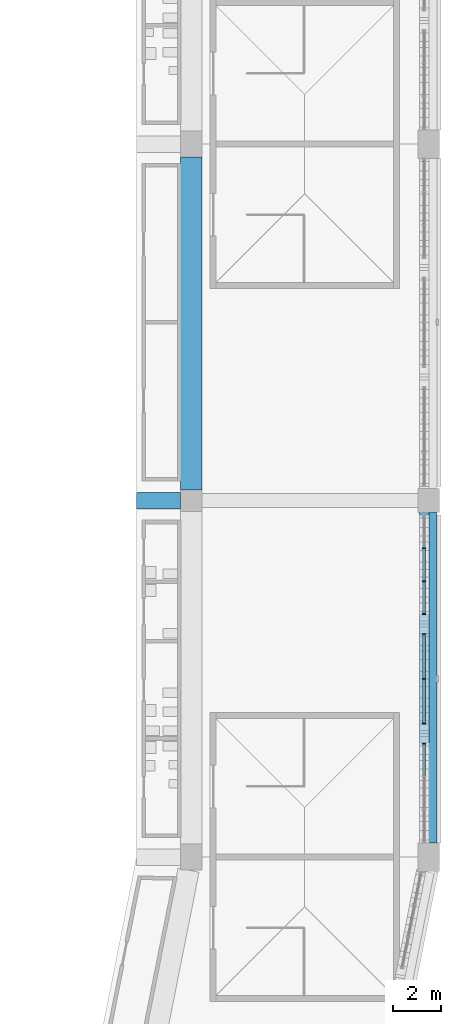
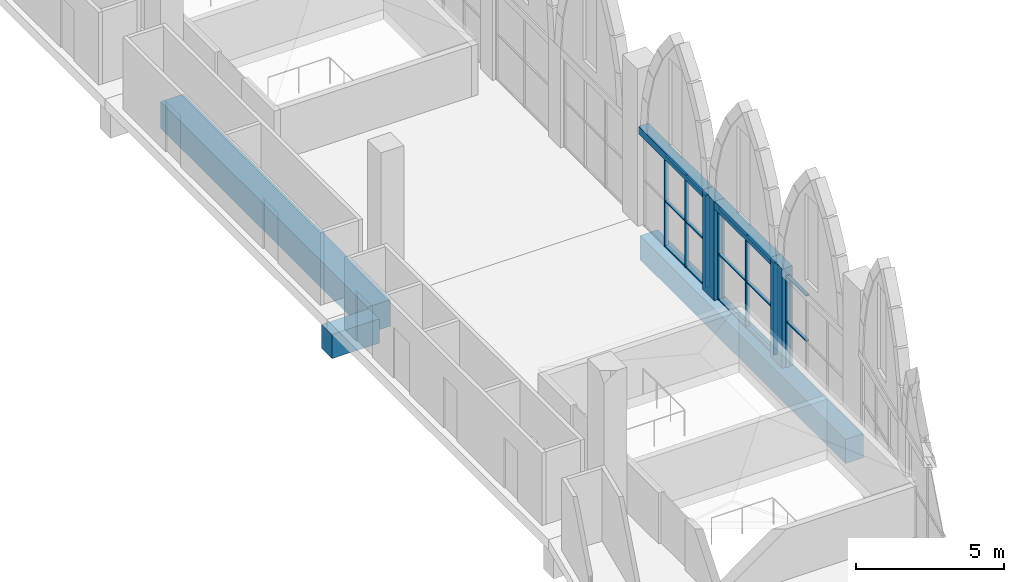
# One storey, part 22 of 130: 23 members, 5 beams, 3 elements without a shape of their own.
"""IFC4 building model written with IfcOpenShell, lengths in metres."""

from ifc_helpers import new_model, si_unit, direction, frame, origin, origin_2d, place, context, subcontext, project, spatial, rectangle, extrude, material, material_profile, profile_set, type_object, element, aggregate, save


model = new_model("IFC4")

# Units and contexts
model_context = context("Model", 3, precision=1e-05, world=origin(), true_north=direction((0.0, 1.0)))
body_context = subcontext(model_context, "Body", "Model", "MODEL_VIEW")
ifc_project = project(units=[si_unit("LENGTHUNIT", "METRE"), si_unit("AREAUNIT", "SQUARE_METRE"), si_unit("VOLUMEUNIT", "CUBIC_METRE"), si_unit("PLANEANGLEUNIT", "RADIAN"), si_unit("MASSUNIT", "GRAM", prefix="KILO")], contexts=[model_context])

# Site, building, storey
site_placement = place(None, origin())
site = spatial("IfcSite", under=ifc_project, at=site_placement, CompositionType="ELEMENT")
building_placement = place(site_placement, origin())
building = spatial("IfcBuilding", under=site, at=building_placement, Name="Ogive Plaza Stadium", CompositionType="ELEMENT")
storey_placement = place(building_placement, frame((0.0, 0.0, 22.5)))
storey = spatial("IfcBuildingStorey", under=building, at=storey_placement, Name="L05", CompositionType="ELEMENT", Elevation=22.5)

# Curtain wall, members
ifc_material_1 = material(Name="Bronze-anodised aluminium with laminated glass", Category="aluminium")
curtain_wall_type = type_object("IfcCurtainWallType", Name="Lancet curtain wall", PredefinedType="NOTDEFINED", material=ifc_material_1)
curtain_wall_1_placement = place(storey_placement, origin())
curtain_wall_1 = element("IfcCurtainWall", 1, at=curtain_wall_1_placement, inside=storey, type_object=curtain_wall_type, Name="CURTAIN WALL B07 L05", PredefinedType="NOTDEFINED")
ifc_material_2 = material(Name="Bronze-anodised aluminium", Category="aluminium")
ifc_material_profile_1 = material_profile(ifc_material_2, rectangle(XDim=0.14990234375, YDim=0.050048828125, at=origin_2d()), Name="AL 150x50")
ifc_profile_set_1 = profile_set([ifc_material_profile_1], Name="Bronze-anodised aluminium")
member_type_1 = type_object("IfcMemberType", Name="Curtain wall mullion 50x150", PredefinedType="MULLION", material=ifc_profile_set_1)
member_1_placement = place(storey_placement, frame((83.800048828125, -39.5, 0.0), z_axis=(0.0, 0.0, 1.0), x_axis=(1.0, 0.0, 0.0)))
member_1 = element("IfcMember", 2, at=member_1_placement, type_object=member_type_1, Name="CW-B07-L05.1 mullion 2", PredefinedType="MULLION", context=body_context, shape_type="SweptSolid", body=[
    extrude(rectangle(XDim=0.14990234375, YDim=0.050048828125, at=origin_2d()), origin(), (0.0, 0.0, 1.0), 3.800048828125),
])
member_2_placement = place(storey_placement, frame((83.800048828125, -40.89990234375, 0.0), z_axis=(0.0, 0.0, 1.0), x_axis=(1.0, 0.0, 0.0)))
member_2 = element("IfcMember", 3, at=member_2_placement, type_object=member_type_1, Name="CW-B07-L05.1 mullion 3", PredefinedType="MULLION", context=body_context, shape_type="SweptSolid", body=[
    extrude(rectangle(XDim=0.14990234375, YDim=0.050048828125, at=origin_2d()), origin(), (0.0, 0.0, 1.0), 3.800048828125),
])
member_3_placement = place(storey_placement, frame((83.800048828125, -42.27490234375, 0.0), z_axis=(0.0, 0.0, 1.0), x_axis=(1.0, 0.0, 0.0)))
member_3 = element("IfcMember", 4, at=member_3_placement, type_object=member_type_1, Name="CW-B07-L05.1 mullion 4", PredefinedType="MULLION", context=body_context, shape_type="SweptSolid", body=[
    extrude(rectangle(XDim=0.14990234375, YDim=0.050048828125, at=origin_2d()), origin(), (0.0, 0.0, 1.0), 3.800048828125),
])

curtain_wall_2_placement = place(storey_placement, origin())
curtain_wall_2 = element("IfcCurtainWall", 5, at=curtain_wall_2_placement, inside=storey, type_object=curtain_wall_type, Name="CURTAIN WALL B07 L05", PredefinedType="NOTDEFINED")
member_4_placement = place(storey_placement, frame((83.800048828125, -43.125, 0.0), z_axis=(0.0, 0.0, 1.0), x_axis=(1.0, 0.0, 0.0)))
member_4 = element("IfcMember", 6, at=member_4_placement, type_object=member_type_1, Name="CW-B07-L05.2 mullion 1", PredefinedType="MULLION", context=body_context, shape_type="SweptSolid", body=[
    extrude(rectangle(XDim=0.14990234375, YDim=0.050048828125, at=origin_2d()), origin(), (0.0, 0.0, 1.0), 3.800048828125),
])
member_5_placement = place(storey_placement, frame((83.800048828125, -45.0, 0.0), z_axis=(0.0, 0.0, 1.0), x_axis=(1.0, 0.0, 0.0)))
member_5 = element("IfcMember", 7, at=member_5_placement, type_object=member_type_1, Name="CW-B07-L05.2 mullion 2", PredefinedType="MULLION", context=body_context, shape_type="SweptSolid", body=[
    extrude(rectangle(XDim=0.14990234375, YDim=0.050048828125, at=origin_2d()), origin(), (0.0, 0.0, 1.0), 3.800048828125),
])
member_6_placement = place(storey_placement, frame((83.800048828125, -46.875, 0.0), z_axis=(0.0, 0.0, 1.0), x_axis=(1.0, 0.0, 0.0)))
member_6 = element("IfcMember", 8, at=member_6_placement, type_object=member_type_1, Name="CW-B07-L05.2 mullion 3", PredefinedType="MULLION", context=body_context, shape_type="SweptSolid", body=[
    extrude(rectangle(XDim=0.14990234375, YDim=0.050048828125, at=origin_2d()), origin(), (0.0, 0.0, 1.0), 3.800048828125),
])

# Curtain wall, member
curtain_wall_3_placement = place(storey_placement, origin())
curtain_wall_3 = element("IfcCurtainWall", 9, at=curtain_wall_3_placement, inside=storey, type_object=curtain_wall_type, Name="CURTAIN WALL B07 L05", PredefinedType="NOTDEFINED")
member_7_placement = place(storey_placement, frame((83.800048828125, -47.72509765625, 0.0), z_axis=(0.0, 0.0, 1.0), x_axis=(1.0, 0.0, 0.0)))
member_7 = element("IfcMember", 10, at=member_7_placement, type_object=member_type_1, Name="CW-B07-L05.3 mullion 1", PredefinedType="MULLION", context=body_context, shape_type="SweptSolid", body=[
    extrude(rectangle(XDim=0.14990234375, YDim=0.050048828125, at=origin_2d()), origin(), (0.0, 0.0, 1.0), 3.800048828125),
])

# Member
ifc_material_3 = material(Name="Bronze-anodised aluminium", Category="aluminium")
ifc_material_profile_2 = material_profile(ifc_material_3, rectangle(XDim=0.1201171875, YDim=0.050048828125, at=origin_2d()), Name="AL 120x50")
ifc_profile_set_2 = profile_set([ifc_material_profile_2], Name="Bronze-anodised aluminium")
member_type_2 = type_object("IfcMemberType", Name="Curtain wall transom 50x120", PredefinedType="USERDEFINED", material=ifc_profile_set_2)
member_8_placement = place(storey_placement, frame((83.800048828125, -39.52490234375, 0.02490234375), z_axis=(0.0, -1.0, 0.0), x_axis=(1.0, 0.0, 0.0)))
member_8 = element("IfcMember", 11, at=member_8_placement, type_object=member_type_2, Name="CW-B07-L05.1 transom 2.1", ObjectType="TRANSOM", PredefinedType="USERDEFINED", context=body_context, shape_type="SweptSolid", body=[
    extrude(rectangle(XDim=0.1201171875, YDim=0.050048828125, at=origin_2d()), origin(), (0.0, 0.0, 1.0), 1.35009765625),
])

member_9_placement = place(storey_placement, frame((83.800048828125, -39.52490234375, 1.89990234375), z_axis=(0.0, -1.0, 0.0), x_axis=(1.0, 0.0, 0.0)))
member_9 = element("IfcMember", 12, at=member_9_placement, type_object=member_type_2, Name="CW-B07-L05.1 transom 2.2", ObjectType="TRANSOM", PredefinedType="USERDEFINED", context=body_context, shape_type="SweptSolid", body=[
    extrude(rectangle(XDim=0.1201171875, YDim=0.050048828125, at=origin_2d()), origin(), (0.0, 0.0, 1.0), 1.35009765625),
])

member_10_placement = place(storey_placement, frame((83.800048828125, -39.52490234375, 3.77490234375), z_axis=(0.0, -1.0, 0.0), x_axis=(1.0, 0.0, 0.0)))
member_10 = element("IfcMember", 13, at=member_10_placement, type_object=member_type_2, Name="CW-B07-L05.1 transom 2.3", ObjectType="TRANSOM", PredefinedType="USERDEFINED", context=body_context, shape_type="SweptSolid", body=[
    extrude(rectangle(XDim=0.1201171875, YDim=0.050048828125, at=origin_2d()), origin(), (0.0, 0.0, 1.0), 1.35009765625),
])

member_11_placement = place(storey_placement, frame((83.800048828125, -40.925048828125, 0.02490234375), z_axis=(0.0, -1.0, 0.0), x_axis=(1.0, 0.0, 0.0)))
member_11 = element("IfcMember", 14, at=member_11_placement, type_object=member_type_2, Name="CW-B07-L05.1 transom 3.1", ObjectType="TRANSOM", PredefinedType="USERDEFINED", context=body_context, shape_type="SweptSolid", body=[
    extrude(rectangle(XDim=0.1201171875, YDim=0.050048828125, at=origin_2d()), origin(), (0.0, 0.0, 1.0), 1.324951171875),
])

member_12_placement = place(storey_placement, frame((83.800048828125, -40.925048828125, 1.89990234375), z_axis=(0.0, -1.0, 0.0), x_axis=(1.0, 0.0, 0.0)))
member_12 = element("IfcMember", 15, at=member_12_placement, type_object=member_type_2, Name="CW-B07-L05.1 transom 3.2", ObjectType="TRANSOM", PredefinedType="USERDEFINED", context=body_context, shape_type="SweptSolid", body=[
    extrude(rectangle(XDim=0.1201171875, YDim=0.050048828125, at=origin_2d()), origin(), (0.0, 0.0, 1.0), 1.324951171875),
])

member_13_placement = place(storey_placement, frame((83.800048828125, -40.925048828125, 3.77490234375), z_axis=(0.0, -1.0, 0.0), x_axis=(1.0, 0.0, 0.0)))
member_13 = element("IfcMember", 16, at=member_13_placement, type_object=member_type_2, Name="CW-B07-L05.1 transom 3.3", ObjectType="TRANSOM", PredefinedType="USERDEFINED", context=body_context, shape_type="SweptSolid", body=[
    extrude(rectangle(XDim=0.1201171875, YDim=0.050048828125, at=origin_2d()), origin(), (0.0, 0.0, 1.0), 1.324951171875),
])

aggregate(curtain_wall_1, [member_1, member_2, member_3, member_8, member_9, member_10, member_11, member_12, member_13])

member_14_placement = place(storey_placement, frame((83.800048828125, -43.14990234375, 0.02490234375), z_axis=(0.0, -1.0, 0.0), x_axis=(1.0, 0.0, 0.0)))
member_14 = element("IfcMember", 17, at=member_14_placement, type_object=member_type_2, Name="CW-B07-L05.2 transom 1.1", ObjectType="TRANSOM", PredefinedType="USERDEFINED", context=body_context, shape_type="SweptSolid", body=[
    extrude(rectangle(XDim=0.1201171875, YDim=0.050048828125, at=origin_2d()), origin(), (0.0, 0.0, 1.0), 1.8251953125),
])

member_15_placement = place(storey_placement, frame((83.800048828125, -43.14990234375, 1.89990234375), z_axis=(0.0, -1.0, 0.0), x_axis=(1.0, 0.0, 0.0)))
member_15 = element("IfcMember", 18, at=member_15_placement, type_object=member_type_2, Name="CW-B07-L05.2 transom 1.2", ObjectType="TRANSOM", PredefinedType="USERDEFINED", context=body_context, shape_type="SweptSolid", body=[
    extrude(rectangle(XDim=0.1201171875, YDim=0.050048828125, at=origin_2d()), origin(), (0.0, 0.0, 1.0), 1.8251953125),
])

member_16_placement = place(storey_placement, frame((83.800048828125, -43.14990234375, 3.77490234375), z_axis=(0.0, -1.0, 0.0), x_axis=(1.0, 0.0, 0.0)))
member_16 = element("IfcMember", 19, at=member_16_placement, type_object=member_type_2, Name="CW-B07-L05.2 transom 1.3", ObjectType="TRANSOM", PredefinedType="USERDEFINED", context=body_context, shape_type="SweptSolid", body=[
    extrude(rectangle(XDim=0.1201171875, YDim=0.050048828125, at=origin_2d()), origin(), (0.0, 0.0, 1.0), 1.8251953125),
])

member_17_placement = place(storey_placement, frame((83.800048828125, -45.02490234375, 0.02490234375), z_axis=(0.0, -1.0, 0.0), x_axis=(1.0, 0.0, 0.0)))
member_17 = element("IfcMember", 20, at=member_17_placement, type_object=member_type_2, Name="CW-B07-L05.2 transom 2.1", ObjectType="TRANSOM", PredefinedType="USERDEFINED", context=body_context, shape_type="SweptSolid", body=[
    extrude(rectangle(XDim=0.1201171875, YDim=0.050048828125, at=origin_2d()), origin(), (0.0, 0.0, 1.0), 1.8251953125),
])

member_18_placement = place(storey_placement, frame((83.800048828125, -45.02490234375, 1.89990234375), z_axis=(0.0, -1.0, 0.0), x_axis=(1.0, 0.0, 0.0)))
member_18 = element("IfcMember", 21, at=member_18_placement, type_object=member_type_2, Name="CW-B07-L05.2 transom 2.2", ObjectType="TRANSOM", PredefinedType="USERDEFINED", context=body_context, shape_type="SweptSolid", body=[
    extrude(rectangle(XDim=0.1201171875, YDim=0.050048828125, at=origin_2d()), origin(), (0.0, 0.0, 1.0), 1.8251953125),
])

member_19_placement = place(storey_placement, frame((83.800048828125, -45.02490234375, 3.77490234375), z_axis=(0.0, -1.0, 0.0), x_axis=(1.0, 0.0, 0.0)))
member_19 = element("IfcMember", 22, at=member_19_placement, type_object=member_type_2, Name="CW-B07-L05.2 transom 2.3", ObjectType="TRANSOM", PredefinedType="USERDEFINED", context=body_context, shape_type="SweptSolid", body=[
    extrude(rectangle(XDim=0.1201171875, YDim=0.050048828125, at=origin_2d()), origin(), (0.0, 0.0, 1.0), 1.8251953125),
])

aggregate(curtain_wall_2, [member_4, member_5, member_6, member_14, member_15, member_16, member_17, member_18, member_19])

member_20_placement = place(storey_placement, frame((83.800048828125, -47.75, 1.89990234375), z_axis=(0.0, -1.0, 0.0), x_axis=(1.0, 0.0, 0.0)))
member_20 = element("IfcMember", 23, at=member_20_placement, type_object=member_type_2, Name="CW-B07-L05.3 transom 1.2", ObjectType="TRANSOM", PredefinedType="USERDEFINED", context=body_context, shape_type="SweptSolid", body=[
    extrude(rectangle(XDim=0.1201171875, YDim=0.050048828125, at=origin_2d()), origin(), (0.0, 0.0, 1.0), 1.324951171875),
])

member_21_placement = place(storey_placement, frame((83.800048828125, -47.75, 3.77490234375), z_axis=(0.0, -1.0, 0.0), x_axis=(1.0, 0.0, 0.0)))
member_21 = element("IfcMember", 24, at=member_21_placement, type_object=member_type_2, Name="CW-B07-L05.3 transom 1.3", ObjectType="TRANSOM", PredefinedType="USERDEFINED", context=body_context, shape_type="SweptSolid", body=[
    extrude(rectangle(XDim=0.1201171875, YDim=0.050048828125, at=origin_2d()), origin(), (0.0, 0.0, 1.0), 1.324951171875),
])

aggregate(curtain_wall_3, [member_7, member_20, member_21])

# Members
ifc_material_4 = material(Name="Concrete C45/55 precast", Category="concrete")
ifc_material_profile_3 = material_profile(ifc_material_4, rectangle(XDim=0.39990234375, YDim=0.800048828125, at=origin_2d()), Name="RC 400x800")
ifc_profile_set_3 = profile_set([ifc_material_profile_3], Name="Concrete C45/55 precast")
member_type_3 = type_object("IfcMemberType", Name="Precast colonette 800x400", PredefinedType="POST", material=ifc_profile_set_3)
for number, where, z_axis, x_axis, name in (
    (25, (83.800048828125, -42.699951171875, 0.0), (0.0, 0.0, 1.0), (1.0, 0.0, 0.0), "COLONETTE B07 1"),
    (26, (83.800048828125, -47.300048828125, 0.0), (0.0, 0.0, 1.0), (1.0, 0.0, 0.0), "COLONETTE B07 2"),
):
    element("IfcMember", number, at=place(storey_placement, frame(where, z_axis=z_axis, x_axis=x_axis)), inside=storey, type_object=member_type_3, Name=name, PredefinedType="POST", context=body_context, shape_type="SweptSolid", body=[
        extrude(rectangle(XDim=0.39990234375, YDim=0.800048828125, at=origin_2d()), origin(), (0.0, 0.0, 1.0), 4.10009765625),
    ])

# Beams
ifc_material_5 = material(Name="Concrete C45/55 precast", Category="concrete")
ifc_material_profile_4 = material_profile(ifc_material_5, rectangle(XDim=0.39990234375, YDim=0.300048828125, at=origin_2d()), Name="RC 400x300")
ifc_profile_set_4 = profile_set([ifc_material_profile_4], Name="Concrete C45/55 precast")
beam_type_1 = type_object("IfcBeamType", Name="Precast tympanum lintel 400x300", PredefinedType="BEAM", material=ifc_profile_set_4)
beam_1_placement = place(storey_placement, frame((83.800048828125, -37.969970703125, 3.949951171875), z_axis=(0.0, -1.0, 0.0), x_axis=(1.0, 0.0, 0.0)))
element("IfcBeam", 27, at=beam_1_placement, inside=storey, type_object=beam_type_1, Name="TYMPANUM LINTEL B07 1", PredefinedType="BEAM", context=body_context, shape_type="SweptSolid", body=[
    extrude(rectangle(XDim=0.39990234375, YDim=0.300048828125, at=origin_2d()), origin(), (0.0, 0.0, 1.0), 4.360107421875),
])
beam_2_placement = place(storey_placement, frame((83.800048828125, -43.070068359375, 3.949951171875), z_axis=(0.0, -1.0, 0.0), x_axis=(1.0, 0.0, 0.0)))
element("IfcBeam", 28, at=beam_2_placement, inside=storey, type_object=beam_type_1, Name="TYMPANUM LINTEL B07 2", PredefinedType="BEAM", context=body_context, shape_type="SweptSolid", body=[
    extrude(rectangle(XDim=0.39990234375, YDim=0.300048828125, at=origin_2d()), origin(), (0.0, 0.0, 1.0), 3.85986328125),
])
ifc_material_6 = material(Name="Concrete C40/50", Category="concrete")
ifc_material_profile_5 = material_profile(ifc_material_6, rectangle(XDim=0.699951171875, YDim=1.0, at=origin_2d()), Name="RC 700x1000")
ifc_profile_set_5 = profile_set([ifc_material_profile_5], Name="Concrete C40/50")
beam_type_2 = type_object("IfcBeamType", Name="RC radial beam 700x1000", PredefinedType="BEAM", material=ifc_profile_set_5)
beam_3_placement = place(storey_placement, frame((71.699951171875, -37.5, -0.909912109375), z_axis=(1.0, 0.0, 0.0), x_axis=(0.0, 1.0, 0.0)))
element("IfcBeam", 29, at=beam_3_placement, inside=storey, type_object=beam_type_2, Name="Raker tail beam UT R07", PredefinedType="BEAM", context=body_context, shape_type="SweptSolid", body=[
    extrude(rectangle(XDim=0.699951171875, YDim=1.0, at=origin_2d()), origin(), (0.0, 0.0, 1.0), 1.85009765625),
])
ifc_material_7 = material(Name="Concrete C40/50", Category="concrete")
ifc_material_profile_6 = material_profile(ifc_material_7, rectangle(XDim=0.89990234375, YDim=1.10009765625, at=origin_2d()), Name="RC 900x1100")
ifc_profile_set_6 = profile_set([ifc_material_profile_6], Name="Concrete C40/50")
beam_type_3 = type_object("IfcBeamType", Name="RC ring beam 900x1100", PredefinedType="BEAM", material=ifc_profile_set_6)
beam_4_placement = place(storey_placement, frame((74.0, -23.050048828125, -0.9599609375), z_axis=(0.0, -1.0, 0.0), x_axis=(1.0, 0.0, 0.0)))
element("IfcBeam", 30, at=beam_4_placement, inside=storey, type_object=beam_type_3, Name="Ring beam F4 L05 B06", PredefinedType="BEAM", context=body_context, shape_type="SweptSolid", body=[
    extrude(rectangle(XDim=0.89990234375, YDim=1.10009765625, at=origin_2d()), origin(), (0.0, 0.0, 1.0), 14.0),
])
ifc_material_8 = material(Name="Concrete C40/50", Category="concrete")
ifc_material_profile_7 = material_profile(ifc_material_8, rectangle(XDim=0.699951171875, YDim=1.0, at=origin_2d()), Name="RC 700x1000")
ifc_profile_set_7 = profile_set([ifc_material_profile_7], Name="Concrete C40/50")
beam_type_4 = type_object("IfcBeamType", Name="RC spandrel beam 700x1000", PredefinedType="SPANDREL", material=ifc_profile_set_7)
beam_5_placement = place(storey_placement, frame((84.0, -38.0, -0.909912109375), z_axis=(0.0, -1.0, 0.0), x_axis=(1.0, 0.0, 0.0)))
element("IfcBeam", 31, at=beam_5_placement, inside=storey, type_object=beam_type_4, Name="Ring beam F5 L05 B07", PredefinedType="SPANDREL", context=body_context, shape_type="SweptSolid", body=[
    extrude(rectangle(XDim=0.699951171875, YDim=1.0, at=origin_2d()), origin(), (0.0, 0.0, 1.0), 13.89990234375),
])

save(model, "model.ifc")
